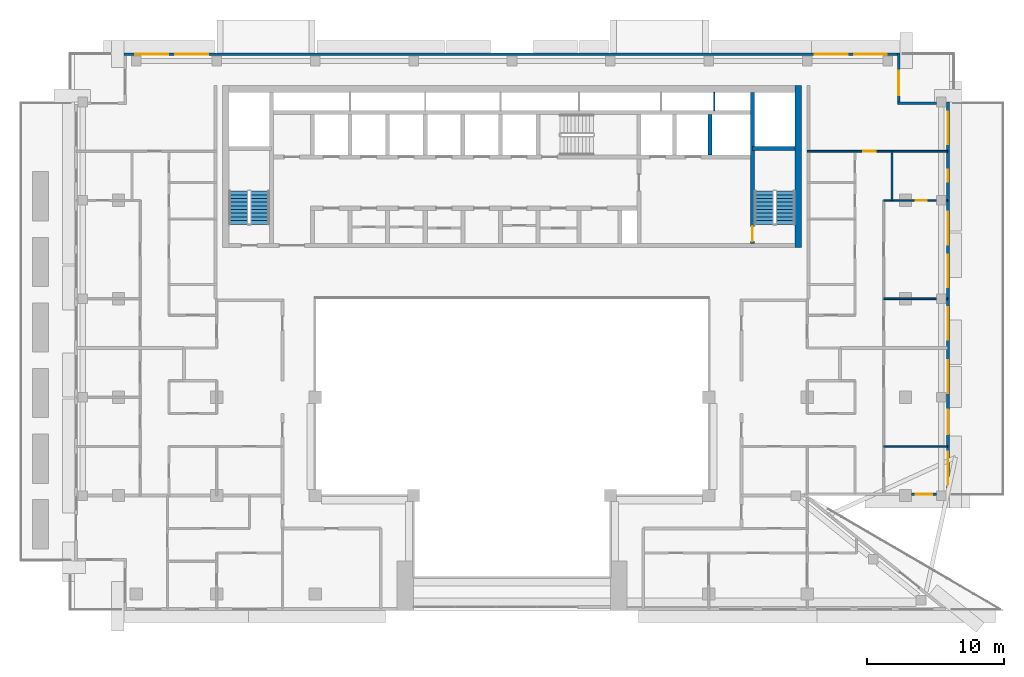
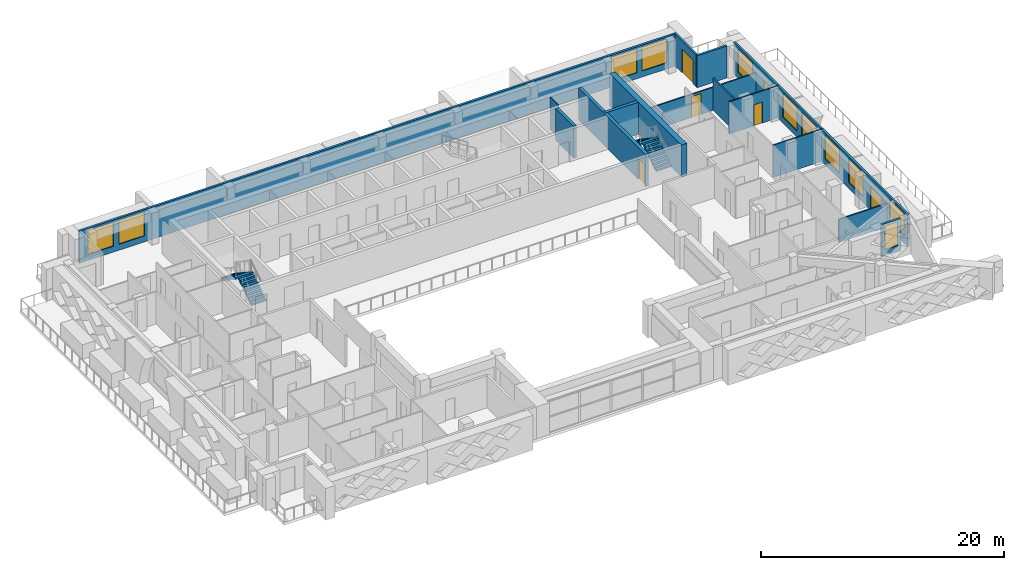
# One storey, part 11 of 19: 15 walls, 12 windows, 5 doors, 4 stair flights, 17 openings, 2 elements without a shape of their own.
"""IFC4 building model written with IfcOpenShell, lengths in metres."""

from ifc_helpers import new_model, si_unit, direction, frame, frame_2d, origin, place, context, subcontext, project, spatial, polyline, rectangle, outline, extrude, material, layer, layer_set, type_object, element, fill, aggregate, save


model = new_model("IFC4")

# Units and contexts
model_context = context("Model", 3, precision=1e-05, world=origin(), true_north=direction((0.0, 1.0)))
body_context = subcontext(model_context, "Body", "Model", "MODEL_VIEW")
ifc_project = project(units=[si_unit("LENGTHUNIT", "METRE"), si_unit("AREAUNIT", "SQUARE_METRE"), si_unit("VOLUMEUNIT", "CUBIC_METRE"), si_unit("PLANEANGLEUNIT", "RADIAN"), si_unit("MASSUNIT", "GRAM", prefix="KILO")], contexts=[model_context])

# Site, building, storey
site_placement = place(None, origin())
site = spatial("IfcSite", under=ifc_project, at=site_placement, CompositionType="ELEMENT")
building_placement = place(site_placement, origin())
building = spatial("IfcBuilding", under=site, at=building_placement, Name="Saffron Iwan Residences", CompositionType="ELEMENT")
storey_placement = place(building_placement, frame((0.0, 0.0, 211.5)))
storey = spatial("IfcBuildingStorey", under=building, at=storey_placement, Name="L56", CompositionType="ELEMENT", Elevation=211.5)

# Wall, opening, window
ifc_material_1 = material(Name="Concrete C40/50", Category="concrete")
ifc_layer_1 = layer(ifc_material_1, 0.199951171875)
ifc_layer_set_1 = layer_set([ifc_layer_1], Name="Concrete C40/50")
wall_type_1 = type_object("IfcWallType", Name="EXTERNAL WALL 200", PredefinedType="SOLIDWALL", material=ifc_layer_set_1)
wall_1_placement = place(storey_placement, frame((79.64990234375, 48.10009765625, 0.0), z_axis=(0.0, 0.0, 1.0), x_axis=(1.0, 0.0, 0.0)))
wall_1 = element("IfcWall", 1, at=wall_1_placement, inside=storey, type_object=wall_type_1, Name="External wall L56 F1.1", PredefinedType="SOLIDWALL", context=body_context, shape_type="SweptSolid", body=[
    extrude(rectangle(XDim=1.800048828125, YDim=0.199951171875, at=frame_2d((0.89990234375, 0.0))), origin(), (0.0, 0.0, 1.0), 3.219970703125),
])
opening_1_placement = place(wall_1_placement, frame((0.300048828125, 0.0, 0.60009765625)))
opening_1 = element("IfcOpeningElement", 2, at=opening_1_placement, cuts=wall_1, Name="Opening W3", PredefinedType="OPENING", context=body_context, shape_type="SweptSolid", body=[
    extrude(rectangle(XDim=1.199951171875, YDim=2.39990234375, at=frame_2d((0.60009765625, 1.199951171875))), frame((0.0, 0.10986328125, 0.0), z_axis=(0.0, -1.0, 0.0), x_axis=(1.0, 0.0, 0.0)), (0.0, 0.0, 1.0), 0.219970703125),
])
ifc_material_2 = material(Name="Clear glass, laminated double glazed", Category="glass")
window_type_1 = type_object("IfcWindowType", Name="WINDOW 1200 x 2400", PartitioningType="SINGLE_PANEL", PredefinedType="WINDOW", material=ifc_material_2)
window_1_placement = place(opening_1_placement, origin())
window_1 = element("IfcWindow", 3, at=window_1_placement, inside=storey, type_object=window_type_1, Name="Window L56 F1.0", OverallHeight=2.39990234375, OverallWidth=1.199951171875, PartitioningType="SINGLE_PANEL", PredefinedType="WINDOW", context=body_context, shape_type="SweptSolid", body=[
    extrude(rectangle(XDim=1.199951171875, YDim=2.39990234375, at=frame_2d((0.60009765625, 1.199951171875))), frame((0.0, 0.030029296875, 0.0), z_axis=(0.0, -1.0, 0.0), x_axis=(1.0, 0.0, 0.0)), (0.0, 0.0, 1.0), 0.06005859375),
])
fill(opening_1, window_1)

# Wall, openings, door, windows
wall_2_placement = place(storey_placement, frame((82.300048828125, 48.199951171875, 0.0), z_axis=(0.0, 0.0, 1.0), x_axis=(0.0, 1.0, 0.0)))
wall_2 = element("IfcWall", 4, at=wall_2_placement, inside=storey, type_object=wall_type_1, Name="External wall L56 F2.0", PredefinedType="SOLIDWALL", context=body_context, shape_type="SweptSolid", body=[
    extrude(rectangle(XDim=28.60009765625, YDim=0.199951171875, at=frame_2d((14.300048828125, 0.0))), origin(), (0.0, 0.0, 1.0), 3.219970703125),
])
opening_2_placement = place(wall_2_placement, frame((4.300048828125, 0.0, 0.0)))
opening_2 = element("IfcOpeningElement", 5, at=opening_2_placement, cuts=wall_2, Name="Opening BD1", PredefinedType="OPENING", context=body_context, shape_type="SweptSolid", body=[
    extrude(rectangle(XDim=1.800048828125, YDim=2.39990234375, at=frame_2d((0.89990234375, 1.199951171875))), frame((0.0, 0.10986328125, 0.0), z_axis=(0.0, -1.0, 0.0), x_axis=(1.0, 0.0, 0.0)), (0.0, 0.0, 1.0), 0.219970703125),
])
opening_3_placement = place(wall_2_placement, frame((0.60009765625, 0.0, 0.60009765625)))
opening_3 = element("IfcOpeningElement", 6, at=opening_3_placement, cuts=wall_2, Name="Opening W1", PredefinedType="OPENING", context=body_context, shape_type="SweptSolid", body=[
    extrude(rectangle(XDim=2.39990234375, YDim=2.39990234375, at=frame_2d((1.199951171875, 1.199951171875))), frame((0.0, 0.10986328125, 0.0), z_axis=(0.0, -1.0, 0.0), x_axis=(1.0, 0.0, 0.0)), (0.0, 0.0, 1.0), 0.219970703125),
])
opening_4_placement = place(wall_2_placement, frame((7.300048828125, 0.0, 0.60009765625)))
opening_4 = element("IfcOpeningElement", 7, at=opening_4_placement, cuts=wall_2, Name="Opening W1", PredefinedType="OPENING", context=body_context, shape_type="SweptSolid", body=[
    extrude(rectangle(XDim=2.39990234375, YDim=2.39990234375, at=frame_2d((1.199951171875, 1.199951171875))), frame((0.0, 0.10986328125, 0.0), z_axis=(0.0, -1.0, 0.0), x_axis=(1.0, 0.0, 0.0)), (0.0, 0.0, 1.0), 0.219970703125),
])
opening_5_placement = place(wall_2_placement, frame((11.199951171875, 0.0, 0.60009765625)))
opening_5 = element("IfcOpeningElement", 8, at=opening_5_placement, cuts=wall_2, Name="Opening W1", PredefinedType="OPENING", context=body_context, shape_type="SweptSolid", body=[
    extrude(rectangle(XDim=2.39990234375, YDim=2.39990234375, at=frame_2d((1.199951171875, 1.199951171875))), frame((0.0, 0.10986328125, 0.0), z_axis=(0.0, -1.0, 0.0), x_axis=(1.0, 0.0, 0.0)), (0.0, 0.0, 1.0), 0.219970703125),
])
opening_6_placement = place(wall_2_placement, frame((15.033203125, 0.0, 0.60009765625)))
opening_6 = element("IfcOpeningElement", 9, at=opening_6_placement, cuts=wall_2, Name="Opening W1", PredefinedType="OPENING", context=body_context, shape_type="SweptSolid", body=[
    extrude(rectangle(XDim=2.39990234375, YDim=2.39990234375, at=frame_2d((1.199951171875, 1.199951171875))), frame((0.0, 0.10986328125, 0.0), z_axis=(0.0, -1.0, 0.0), x_axis=(1.0, 0.0, 0.0)), (0.0, 0.0, 1.0), 0.219970703125),
])
opening_7_placement = place(wall_2_placement, frame((18.166748046875, 0.0, 0.60009765625)))
opening_7 = element("IfcOpeningElement", 10, at=opening_7_placement, cuts=wall_2, Name="Opening W1", PredefinedType="OPENING", context=body_context, shape_type="SweptSolid", body=[
    extrude(rectangle(XDim=2.39990234375, YDim=2.39990234375, at=frame_2d((1.199951171875, 1.199951171875))), frame((0.0, 0.10986328125, 0.0), z_axis=(0.0, -1.0, 0.0), x_axis=(1.0, 0.0, 0.0)), (0.0, 0.0, 1.0), 0.219970703125),
])
opening_8_placement = place(wall_2_placement, frame((22.75, 0.0, 1.5)))
opening_8 = element("IfcOpeningElement", 11, at=opening_8_placement, cuts=wall_2, Name="Opening W6", PredefinedType="OPENING", context=body_context, shape_type="SweptSolid", body=[
    extrude(rectangle(XDim=0.89990234375, YDim=0.89990234375, at=frame_2d((0.449951171875, 0.449951171875))), frame((0.0, 0.10986328125, 0.0), z_axis=(0.0, -1.0, 0.0), x_axis=(1.0, 0.0, 0.0)), (0.0, 0.0, 1.0), 0.219970703125),
])
opening_9_placement = place(wall_2_placement, frame((25.5, 0.0, 0.60009765625)))
opening_9 = element("IfcOpeningElement", 12, at=opening_9_placement, cuts=wall_2, Name="Opening W1", PredefinedType="OPENING", context=body_context, shape_type="SweptSolid", body=[
    extrude(rectangle(XDim=2.39990234375, YDim=2.39990234375, at=frame_2d((1.199951171875, 1.199951171875))), frame((0.0, 0.10986328125, 0.0), z_axis=(0.0, -1.0, 0.0), x_axis=(1.0, 0.0, 0.0)), (0.0, 0.0, 1.0), 0.219970703125),
])
door_type_1 = type_object("IfcDoorType", Name="BALCONY DOOR 1800 x 2400", OperationType="DOUBLE_DOOR_SLIDING", PredefinedType="DOOR", material=ifc_material_2)
door_1_placement = place(opening_2_placement, origin())
door_1 = element("IfcDoor", 13, at=door_1_placement, inside=storey, type_object=door_type_1, Name="Balcony door L56 F2.0", OperationType="DOUBLE_DOOR_SLIDING", OverallHeight=2.39990234375, OverallWidth=1.800048828125, PredefinedType="DOOR", context=body_context, shape_type="SweptSolid", body=[
    extrude(rectangle(XDim=1.800048828125, YDim=2.39990234375, at=frame_2d((0.89990234375, 1.199951171875))), frame((0.0, 0.02490234375, 0.0), z_axis=(0.0, -1.0, 0.0), x_axis=(1.0, 0.0, 0.0)), (0.0, 0.0, 1.0), 0.050048828125),
])
fill(opening_2, door_1)
window_type_2 = type_object("IfcWindowType", Name="WINDOW 2400 x 2400", PartitioningType="DOUBLE_PANEL_VERTICAL", PredefinedType="WINDOW", material=ifc_material_2)
window_2_placement = place(opening_3_placement, origin())
window_2 = element("IfcWindow", 14, at=window_2_placement, inside=storey, type_object=window_type_2, Name="Window L56 F2.1", OverallHeight=2.39990234375, OverallWidth=2.39990234375, PartitioningType="DOUBLE_PANEL_VERTICAL", PredefinedType="WINDOW", context=body_context, shape_type="SweptSolid", body=[
    extrude(rectangle(XDim=2.39990234375, YDim=2.39990234375, at=frame_2d((1.199951171875, 1.199951171875))), frame((0.0, 0.030029296875, 0.0), z_axis=(0.0, -1.0, 0.0), x_axis=(1.0, 0.0, 0.0)), (0.0, 0.0, 1.0), 0.06005859375),
])
fill(opening_3, window_2)
window_3_placement = place(opening_4_placement, origin())
window_3 = element("IfcWindow", 15, at=window_3_placement, inside=storey, type_object=window_type_2, Name="Window L56 F2.2", OverallHeight=2.39990234375, OverallWidth=2.39990234375, PartitioningType="DOUBLE_PANEL_VERTICAL", PredefinedType="WINDOW", context=body_context, shape_type="SweptSolid", body=[
    extrude(rectangle(XDim=2.39990234375, YDim=2.39990234375, at=frame_2d((1.199951171875, 1.199951171875))), frame((0.0, 0.030029296875, 0.0), z_axis=(0.0, -1.0, 0.0), x_axis=(1.0, 0.0, 0.0)), (0.0, 0.0, 1.0), 0.06005859375),
])
fill(opening_4, window_3)
window_4_placement = place(opening_5_placement, origin())
window_4 = element("IfcWindow", 16, at=window_4_placement, inside=storey, type_object=window_type_2, Name="Window L56 F2.3", OverallHeight=2.39990234375, OverallWidth=2.39990234375, PartitioningType="DOUBLE_PANEL_VERTICAL", PredefinedType="WINDOW", context=body_context, shape_type="SweptSolid", body=[
    extrude(rectangle(XDim=2.39990234375, YDim=2.39990234375, at=frame_2d((1.199951171875, 1.199951171875))), frame((0.0, 0.030029296875, 0.0), z_axis=(0.0, -1.0, 0.0), x_axis=(1.0, 0.0, 0.0)), (0.0, 0.0, 1.0), 0.06005859375),
])
fill(opening_5, window_4)
window_5_placement = place(opening_6_placement, origin())
window_5 = element("IfcWindow", 17, at=window_5_placement, inside=storey, type_object=window_type_2, Name="Window L56 F2.4", OverallHeight=2.39990234375, OverallWidth=2.39990234375, PartitioningType="DOUBLE_PANEL_VERTICAL", PredefinedType="WINDOW", context=body_context, shape_type="SweptSolid", body=[
    extrude(rectangle(XDim=2.39990234375, YDim=2.39990234375, at=frame_2d((1.199951171875, 1.199951171875))), frame((0.0, 0.030029296875, 0.0), z_axis=(0.0, -1.0, 0.0), x_axis=(1.0, 0.0, 0.0)), (0.0, 0.0, 1.0), 0.06005859375),
])
fill(opening_6, window_5)
window_6_placement = place(opening_7_placement, origin())
window_6 = element("IfcWindow", 18, at=window_6_placement, inside=storey, type_object=window_type_2, Name="Window L56 F2.5", OverallHeight=2.39990234375, OverallWidth=2.39990234375, PartitioningType="DOUBLE_PANEL_VERTICAL", PredefinedType="WINDOW", context=body_context, shape_type="SweptSolid", body=[
    extrude(rectangle(XDim=2.39990234375, YDim=2.39990234375, at=frame_2d((1.199951171875, 1.199951171875))), frame((0.0, 0.030029296875, 0.0), z_axis=(0.0, -1.0, 0.0), x_axis=(1.0, 0.0, 0.0)), (0.0, 0.0, 1.0), 0.06005859375),
])
fill(opening_7, window_6)
window_7_placement = place(opening_9_placement, origin())
window_7 = element("IfcWindow", 19, at=window_7_placement, inside=storey, type_object=window_type_2, Name="Window L56 F2.7", OverallHeight=2.39990234375, OverallWidth=2.39990234375, PartitioningType="DOUBLE_PANEL_VERTICAL", PredefinedType="WINDOW", context=body_context, shape_type="SweptSolid", body=[
    extrude(rectangle(XDim=2.39990234375, YDim=2.39990234375, at=frame_2d((1.199951171875, 1.199951171875))), frame((0.0, 0.030029296875, 0.0), z_axis=(0.0, -1.0, 0.0), x_axis=(1.0, 0.0, 0.0)), (0.0, 0.0, 1.0), 0.06005859375),
])
fill(opening_9, window_7)
window_type_3 = type_object("IfcWindowType", Name="WINDOW 900 x 900 BATH", PartitioningType="SINGLE_PANEL", PredefinedType="WINDOW", material=ifc_material_2)
window_8_placement = place(opening_8_placement, origin())
window_8 = element("IfcWindow", 20, at=window_8_placement, inside=storey, type_object=window_type_3, Name="Window L56 F2.6", OverallHeight=0.89990234375, OverallWidth=0.89990234375, PartitioningType="SINGLE_PANEL", PredefinedType="WINDOW", context=body_context, shape_type="SweptSolid", body=[
    extrude(rectangle(XDim=0.89990234375, YDim=0.89990234375, at=frame_2d((0.449951171875, 0.449951171875))), frame((0.0, 0.030029296875, 0.0), z_axis=(0.0, -1.0, 0.0), x_axis=(1.0, 0.0, 0.0)), (0.0, 0.0, 1.0), 0.06005859375),
])
fill(opening_8, window_8)

# Wall
wall_3_placement = place(storey_placement, frame((81.449951171875, 76.699951171875, 0.0), z_axis=(0.0, 0.0, 1.0), x_axis=(-1.0, 0.0, 0.0)))
element("IfcWall", 21, at=wall_3_placement, inside=storey, type_object=wall_type_1, Name="External wall L56 F3.0", PredefinedType="SOLIDWALL", context=body_context, shape_type="SweptSolid", body=[
    extrude(rectangle(XDim=2.849853515625, YDim=0.199951171875, at=frame_2d((1.4248046875, 0.0))), origin(), (0.0, 0.0, 1.0), 3.219970703125),
])

# Wall, opening, door
wall_4_placement = place(storey_placement, frame((78.699951171875, 76.800048828125, 0.0), z_axis=(0.0, 0.0, 1.0), x_axis=(0.0, 1.0, 0.0)))
wall_4 = element("IfcWall", 22, at=wall_4_placement, inside=storey, type_object=wall_type_1, Name="External wall L56 F4.0", PredefinedType="SOLIDWALL", context=body_context, shape_type="SweptSolid", body=[
    extrude(rectangle(XDim=3.599853515625, YDim=0.199951171875, at=frame_2d((1.7998046875, 0.0))), origin(), (0.0, 0.0, 1.0), 3.219970703125),
])
opening_10_placement = place(wall_4_placement, frame((0.5, 0.0, 0.0)))
opening_10 = element("IfcOpeningElement", 23, at=opening_10_placement, cuts=wall_4, Name="Opening BD1", PredefinedType="OPENING", context=body_context, shape_type="SweptSolid", body=[
    extrude(rectangle(XDim=1.800048828125, YDim=2.39990234375, at=frame_2d((0.89990234375, 1.199951171875))), frame((0.0, 0.10986328125, 0.0), z_axis=(0.0, -1.0, 0.0), x_axis=(1.0, 0.0, 0.0)), (0.0, 0.0, 1.0), 0.219970703125),
])
door_2_placement = place(opening_10_placement, origin())
door_2 = element("IfcDoor", 24, at=door_2_placement, inside=storey, type_object=door_type_1, Name="Balcony door L56 F4.0", OperationType="DOUBLE_DOOR_SLIDING", OverallHeight=2.39990234375, OverallWidth=1.800048828125, PredefinedType="DOOR", context=body_context, shape_type="SweptSolid", body=[
    extrude(rectangle(XDim=1.800048828125, YDim=2.39990234375, at=frame_2d((0.89990234375, 1.199951171875))), frame((0.0, 0.02490234375, 0.0), z_axis=(0.0, -1.0, 0.0), x_axis=(1.0, 0.0, 0.0)), (0.0, 0.0, 1.0), 0.050048828125),
])
fill(opening_10, door_2)

# Wall, openings, windows
wall_5_placement = place(storey_placement, frame((78.60009765625, 80.300048828125, 0.0), z_axis=(0.0, 0.0, 1.0), x_axis=(-1.0, 0.0, 0.0)))
wall_5 = element("IfcWall", 25, at=wall_5_placement, inside=storey, type_object=wall_type_1, Name="External wall L56 F5.0", PredefinedType="SOLIDWALL", context=body_context, shape_type="SweptSolid", body=[
    extrude(rectangle(XDim=56.60009765625, YDim=0.199951171875, at=frame_2d((28.300048828125, 0.0))), origin(), (0.0, 0.0, 1.0), 3.219970703125),
])
opening_11_placement = place(wall_5_placement, frame((50.433349609375, 0.0, 0.60009765625)))
opening_11 = element("IfcOpeningElement", 26, at=opening_11_placement, cuts=wall_5, Name="Opening W1", PredefinedType="OPENING", context=body_context, shape_type="SweptSolid", body=[
    extrude(rectangle(XDim=2.39990234375, YDim=2.39990234375, at=frame_2d((1.199951171875, 1.199951171875))), frame((0.0, 0.10986328125, 0.0), z_axis=(0.0, -1.0, 0.0), x_axis=(1.0, 0.0, 0.0)), (0.0, 0.0, 1.0), 0.219970703125),
])
opening_12_placement = place(wall_5_placement, frame((53.36669921875, 0.0, 0.60009765625)))
opening_12 = element("IfcOpeningElement", 27, at=opening_12_placement, cuts=wall_5, Name="Opening W1", PredefinedType="OPENING", context=body_context, shape_type="SweptSolid", body=[
    extrude(rectangle(XDim=2.39990234375, YDim=2.39990234375, at=frame_2d((1.199951171875, 1.199951171875))), frame((0.0, 0.10986328125, 0.0), z_axis=(0.0, -1.0, 0.0), x_axis=(1.0, 0.0, 0.0)), (0.0, 0.0, 1.0), 0.219970703125),
])
opening_13_placement = place(wall_5_placement, frame((0.7666015625, 0.0, 0.60009765625)))
opening_13 = element("IfcOpeningElement", 28, at=opening_13_placement, cuts=wall_5, Name="Opening W1", PredefinedType="OPENING", context=body_context, shape_type="SweptSolid", body=[
    extrude(rectangle(XDim=2.39990234375, YDim=2.39990234375, at=frame_2d((1.199951171875, 1.199951171875))), frame((0.0, 0.10986328125, 0.0), z_axis=(0.0, -1.0, 0.0), x_axis=(1.0, 0.0, 0.0)), (0.0, 0.0, 1.0), 0.219970703125),
])
opening_14_placement = place(wall_5_placement, frame((3.63330078125, 0.0, 0.60009765625)))
opening_14 = element("IfcOpeningElement", 29, at=opening_14_placement, cuts=wall_5, Name="Opening W1", PredefinedType="OPENING", context=body_context, shape_type="SweptSolid", body=[
    extrude(rectangle(XDim=2.39990234375, YDim=2.39990234375, at=frame_2d((1.199951171875, 1.199951171875))), frame((0.0, 0.10986328125, 0.0), z_axis=(0.0, -1.0, 0.0), x_axis=(1.0, 0.0, 0.0)), (0.0, 0.0, 1.0), 0.219970703125),
])
window_9_placement = place(opening_11_placement, origin())
window_9 = element("IfcWindow", 30, at=window_9_placement, inside=storey, type_object=window_type_2, Name="Window L56 F5.0", OverallHeight=2.39990234375, OverallWidth=2.39990234375, PartitioningType="DOUBLE_PANEL_VERTICAL", PredefinedType="WINDOW", context=body_context, shape_type="SweptSolid", body=[
    extrude(rectangle(XDim=2.39990234375, YDim=2.39990234375, at=frame_2d((1.199951171875, 1.199951171875))), frame((0.0, 0.030029296875, 0.0), z_axis=(0.0, -1.0, 0.0), x_axis=(1.0, 0.0, 0.0)), (0.0, 0.0, 1.0), 0.06005859375),
])
fill(opening_11, window_9)
window_10_placement = place(opening_12_placement, origin())
window_10 = element("IfcWindow", 31, at=window_10_placement, inside=storey, type_object=window_type_2, Name="Window L56 F5.1", OverallHeight=2.39990234375, OverallWidth=2.39990234375, PartitioningType="DOUBLE_PANEL_VERTICAL", PredefinedType="WINDOW", context=body_context, shape_type="SweptSolid", body=[
    extrude(rectangle(XDim=2.39990234375, YDim=2.39990234375, at=frame_2d((1.199951171875, 1.199951171875))), frame((0.0, 0.030029296875, 0.0), z_axis=(0.0, -1.0, 0.0), x_axis=(1.0, 0.0, 0.0)), (0.0, 0.0, 1.0), 0.06005859375),
])
fill(opening_12, window_10)
window_11_placement = place(opening_13_placement, origin())
window_11 = element("IfcWindow", 32, at=window_11_placement, inside=storey, type_object=window_type_2, Name="Window L56 F5.2", OverallHeight=2.39990234375, OverallWidth=2.39990234375, PartitioningType="DOUBLE_PANEL_VERTICAL", PredefinedType="WINDOW", context=body_context, shape_type="SweptSolid", body=[
    extrude(rectangle(XDim=2.39990234375, YDim=2.39990234375, at=frame_2d((1.199951171875, 1.199951171875))), frame((0.0, 0.030029296875, 0.0), z_axis=(0.0, -1.0, 0.0), x_axis=(1.0, 0.0, 0.0)), (0.0, 0.0, 1.0), 0.06005859375),
])
fill(opening_13, window_11)
window_12_placement = place(opening_14_placement, origin())
window_12 = element("IfcWindow", 33, at=window_12_placement, inside=storey, type_object=window_type_2, Name="Window L56 F5.3", OverallHeight=2.39990234375, OverallWidth=2.39990234375, PartitioningType="DOUBLE_PANEL_VERTICAL", PredefinedType="WINDOW", context=body_context, shape_type="SweptSolid", body=[
    extrude(rectangle(XDim=2.39990234375, YDim=2.39990234375, at=frame_2d((1.199951171875, 1.199951171875))), frame((0.0, 0.030029296875, 0.0), z_axis=(0.0, -1.0, 0.0), x_axis=(1.0, 0.0, 0.0)), (0.0, 0.0, 1.0), 0.06005859375),
])
fill(opening_14, window_12)

# Walls
ifc_material_3 = material(Name="Gypsum board partition")
ifc_layer_2 = layer(ifc_material_3, 0.1201171875)
ifc_layer_set_2 = layer_set([ifc_layer_2], Name="Gypsum board partition")
wall_type_2 = type_object("IfcWallType", Name="Flat partition 120", PredefinedType="PARTITIONING", material=ifc_layer_set_2)
wall_6_placement = place(storey_placement, frame((77.60009765625, 51.60009765625, 0.0), z_axis=(0.0, 0.0, 1.0), x_axis=(1.0, 0.0, 0.0)))
element("IfcWall", 34, at=wall_6_placement, inside=storey, type_object=wall_type_2, Name="W-L56-PART-h51.6-77.6", PredefinedType="PARTITIONING", context=body_context, shape_type="SweptSolid", body=[
    extrude(rectangle(XDim=4.6748046875, YDim=0.1201171875, at=frame_2d((2.33740234375, 0.0))), origin(), (0.0, 0.0, 1.0), 2.320068359375),
])
wall_7_placement = place(storey_placement, frame((77.60009765625, 62.39990234375, 0.0), z_axis=(0.0, 0.0, 1.0), x_axis=(1.0, 0.0, 0.0)))
element("IfcWall", 35, at=wall_7_placement, inside=storey, type_object=wall_type_2, Name="W-L56-PART-h62.4-77.6", PredefinedType="PARTITIONING", context=body_context, shape_type="SweptSolid", body=[
    extrude(rectangle(XDim=4.6748046875, YDim=0.1201171875, at=frame_2d((2.33740234375, 0.0))), origin(), (0.0, 0.0, 1.0), 3.219970703125),
])

# Wall, opening, door
wall_8_placement = place(storey_placement, frame((77.60009765625, 69.60009765625, 0.0), z_axis=(0.0, 0.0, 1.0), x_axis=(1.0, 0.0, 0.0)))
wall_8 = element("IfcWall", 36, at=wall_8_placement, inside=storey, type_object=wall_type_2, Name="W-L56-PART-h69.6-77.6", PredefinedType="PARTITIONING", context=body_context, shape_type="SweptSolid", body=[
    extrude(rectangle(XDim=4.6748046875, YDim=0.1201171875, at=frame_2d((2.33740234375, 0.0))), origin(), (0.0, 0.0, 1.0), 3.219970703125),
])
opening_15_placement = place(wall_8_placement, frame((2.33740234375, 0.0, 0.0)))
opening_15 = element("IfcOpeningElement", 37, at=opening_15_placement, cuts=wall_8, Name="Opening FD3", PredefinedType="OPENING", context=body_context, shape_type="SweptSolid", body=[
    extrude(rectangle(XDim=0.800048828125, YDim=2.10009765625, at=frame_2d((0.39990234375, 1.050048828125))), frame((0.0, 0.070068359375, 0.0), z_axis=(0.0, -1.0, 0.0), x_axis=(1.0, 0.0, 0.0)), (0.0, 0.0, 1.0), 0.14013671875),
])
ifc_material_4 = material(Name="Timber door", Category="wood")
door_type_2 = type_object("IfcDoorType", Name="Bathroom door 800", OperationType="NOTDEFINED", PredefinedType="DOOR", material=ifc_material_4)
door_3_placement = place(opening_15_placement, origin())
door_3 = element("IfcDoor", 38, at=door_3_placement, inside=storey, type_object=door_type_2, Name="Door L56-034", OperationType="SINGLE_SWING_RIGHT", OverallHeight=2.10009765625, OverallWidth=0.800048828125, PredefinedType="DOOR", context=body_context, shape_type="SweptSolid", body=[
    extrude(rectangle(XDim=0.800048828125, YDim=2.10009765625, at=frame_2d((0.39990234375, 1.050048828125))), frame((0.0, 0.02490234375, 0.0), z_axis=(0.0, -1.0, 0.0), x_axis=(1.0, 0.0, 0.0)), (0.0, 0.0, 1.0), 0.050048828125),
])
fill(opening_15, door_3)

wall_9_placement = place(storey_placement, frame((72.0, 73.199951171875, 0.0), z_axis=(0.0, 0.0, 1.0), x_axis=(1.0, 0.0, 0.0)))
wall_9 = element("IfcWall", 39, at=wall_9_placement, inside=storey, type_object=wall_type_2, Name="W-L56-PART-h73.2-72", PredefinedType="PARTITIONING", context=body_context, shape_type="SweptSolid", body=[
    extrude(rectangle(XDim=10.27490234375, YDim=0.1201171875, at=frame_2d((5.137451171875, 0.0))), origin(), (0.0, 0.0, 1.0), 2.320068359375),
])
opening_16_placement = place(wall_9_placement, frame((4.10009765625, 0.0, 0.0)))
opening_16 = element("IfcOpeningElement", 40, at=opening_16_placement, cuts=wall_9, Name="Opening FD2", PredefinedType="OPENING", context=body_context, shape_type="SweptSolid", body=[
    extrude(rectangle(XDim=0.89990234375, YDim=2.10009765625, at=frame_2d((0.449951171875, 1.050048828125))), frame((0.0, 0.070068359375, 0.0), z_axis=(0.0, -1.0, 0.0), x_axis=(1.0, 0.0, 0.0)), (0.0, 0.0, 1.0), 0.14013671875),
])
door_type_3 = type_object("IfcDoorType", Name="Flat door 900", OperationType="NOTDEFINED", PredefinedType="DOOR", material=ifc_material_4)
door_4_placement = place(opening_16_placement, origin())
door_4 = element("IfcDoor", 41, at=door_4_placement, inside=storey, type_object=door_type_3, Name="Door L56-035", OperationType="SINGLE_SWING_RIGHT", OverallHeight=2.10009765625, OverallWidth=0.89990234375, PredefinedType="DOOR", context=body_context, shape_type="SweptSolid", body=[
    extrude(rectangle(XDim=0.89990234375, YDim=2.10009765625, at=frame_2d((0.449951171875, 1.050048828125))), frame((0.0, 0.02490234375, 0.0), z_axis=(0.0, -1.0, 0.0), x_axis=(1.0, 0.0, 0.0)), (0.0, 0.0, 1.0), 0.050048828125),
])
fill(opening_16, door_4)

# Walls
wall_10_placement = place(storey_placement, frame((78.199951171875, 69.60009765625, 0.0), z_axis=(0.0, 0.0, 1.0), x_axis=(0.0, 1.0, 0.0)))
element("IfcWall", 42, at=wall_10_placement, inside=storey, type_object=wall_type_2, Name="W-L56-PART-v78.2-69.6", PredefinedType="PARTITIONING", context=body_context, shape_type="SweptSolid", body=[
    extrude(rectangle(XDim=3.599853515625, YDim=0.1201171875, at=frame_2d((1.7998046875, 0.0))), origin(), (0.0, 0.0, 1.0), 3.219970703125),
])
ifc_material_5 = material(Name="Fire-rated plasterboard partition")
ifc_layer_3 = layer(ifc_material_5, 0.10009765625)
ifc_layer_set_3 = layer_set([ifc_layer_3], Name="Fire-rated plasterboard partition")
wall_type_3 = type_object("IfcWallType", Name="Riser partition 100", PredefinedType="PARTITIONING", material=ifc_layer_set_3)
wall_11_placement = place(storey_placement, frame((65.199951171875, 76.175048828125, 0.0), z_axis=(0.0, 0.0, 1.0), x_axis=(0.0, 1.0, 0.0)))
element("IfcWall", 43, at=wall_11_placement, inside=storey, type_object=wall_type_3, Name="Core partition P11", PredefinedType="PARTITIONING", context=body_context, shape_type="SweptSolid", body=[
    extrude(rectangle(XDim=1.324951171875, YDim=0.10009765625, at=frame_2d((0.66259765625, 0.0))), origin(), (0.0, 0.0, 1.0), 3.219970703125),
])
ifc_layer_4 = layer(ifc_material_1, 0.300048828125)
ifc_layer_set_4 = layer_set([ifc_layer_4], Name="Concrete C40/50")
wall_type_4 = type_object("IfcWallType", Name="WALL CORE 300 C40/50 3220 HIGH", PredefinedType="SHEAR", material=ifc_layer_set_4)
wall_12_placement = place(storey_placement, frame((68.0, 73.39990234375, 0.0), z_axis=(0.0, 0.0, 1.0), x_axis=(1.0, 0.0, 0.0)))
element("IfcWall", 44, at=wall_12_placement, inside=storey, type_object=wall_type_4, Name="Core wall", PredefinedType="SHEAR", context=body_context, shape_type="SweptSolid", body=[
    extrude(rectangle(XDim=3.10009765625, YDim=0.300048828125, at=frame_2d((1.550048828125, 0.0))), origin(), (0.0, 0.0, 1.0), 3.219970703125),
])

# Wall, opening, door
wall_13_placement = place(storey_placement, frame((68.0, 66.449951171875, 0.0), z_axis=(0.0, 0.0, 1.0), x_axis=(0.0, 1.0, 0.0)))
wall_13 = element("IfcWall", 45, at=wall_13_placement, inside=storey, type_object=wall_type_4, Name="Core wall", PredefinedType="SHEAR", context=body_context, shape_type="SweptSolid", body=[
    extrude(rectangle(XDim=11.050048828125, YDim=0.300048828125, at=frame_2d((5.52490234375, 0.0))), origin(), (0.0, 0.0, 1.0), 3.219970703125),
])
opening_17_placement = place(wall_13_placement, frame((0.14990234375, 0.0, 0.0)))
opening_17 = element("IfcOpeningElement", 46, at=opening_17_placement, cuts=wall_13, Name="Opening SD", PredefinedType="OPENING", context=body_context, shape_type="SweptSolid", body=[
    extrude(rectangle(XDim=1.10009765625, YDim=2.10009765625, at=frame_2d((0.550048828125, 1.050048828125))), frame((0.0, 0.16015625, 0.0), z_axis=(0.0, -1.0, 0.0), x_axis=(1.0, 0.0, 0.0)), (0.0, 0.0, 1.0), 0.320068359375),
])
ifc_material_6 = material(Name="Steel fire door", Category="steel")
door_type_4 = type_object("IfcDoorType", Name="Stair door 1100", OperationType="NOTDEFINED", PredefinedType="DOOR", material=ifc_material_6)
door_5_placement = place(opening_17_placement, origin())
door_5 = element("IfcDoor", 47, at=door_5_placement, inside=storey, type_object=door_type_4, Name="Stair door ST-E", OperationType="SINGLE_SWING_RIGHT", OverallHeight=2.10009765625, OverallWidth=1.10009765625, PredefinedType="DOOR", context=body_context, shape_type="SweptSolid", body=[
    extrude(rectangle(XDim=1.10009765625, YDim=2.10009765625, at=frame_2d((0.550048828125, 1.050048828125))), frame((0.0, 0.02490234375, 0.0), z_axis=(0.0, -1.0, 0.0), x_axis=(1.0, 0.0, 0.0)), (0.0, 0.0, 1.0), 0.050048828125),
])
fill(opening_17, door_5)

# Walls
wall_14_placement = place(storey_placement, frame((64.89990234375, 72.925048828125, 0.0), z_axis=(0.0, 0.0, 1.0), x_axis=(0.0, 1.0, 0.0)))
element("IfcWall", 48, at=wall_14_placement, inside=storey, type_object=wall_type_4, Name="Core wall", PredefinedType="SHEAR", context=body_context, shape_type="SweptSolid", body=[
    extrude(rectangle(XDim=2.949951171875, YDim=0.300048828125, at=frame_2d((1.47509765625, 0.0))), origin(), (0.0, 0.0, 1.0), 3.219970703125),
])
ifc_layer_5 = layer(ifc_material_1, 0.5)
ifc_layer_set_5 = layer_set([ifc_layer_5], Name="Concrete C40/50")
wall_type_5 = type_object("IfcWallType", Name="WALL CORE 500 C40/50 3220 HIGH", PredefinedType="SHEAR", material=ifc_layer_set_5)
wall_15_placement = place(storey_placement, frame((71.35009765625, 66.14990234375, 0.0), z_axis=(0.0, 0.0, 1.0), x_axis=(0.0, 1.0, 0.0)))
element("IfcWall", 49, at=wall_15_placement, inside=storey, type_object=wall_type_5, Name="Core wall", PredefinedType="SHEAR", context=body_context, shape_type="SweptSolid", body=[
    extrude(rectangle(XDim=11.85009765625, YDim=0.5, at=frame_2d((5.925048828125, 0.0))), origin(), (0.0, 0.0, 1.0), 3.219970703125),
])

# Stair, stair flights
ifc_material_7 = material(Name="Concrete C50/60", Category="concrete")
stair_type = type_object("IfcStairType", Name="Stair ST-CORE", PredefinedType="HALF_TURN_STAIR", material=ifc_material_7)
stair_1_placement = place(storey_placement, origin())
stair_1 = element("IfcStair", 50, at=stair_1_placement, inside=storey, type_object=stair_type, Name="L56 Exit Stair ST-W", PredefinedType="HALF_TURN_STAIR")
ifc_layer_6 = layer(ifc_material_7, 0.14990234375)
ifc_layer_set_6 = layer_set([ifc_layer_6], Name="Concrete C50/60")
stair_flight_type = type_object("IfcStairFlightType", Name="Stair flight SFL-RC", PredefinedType="STRAIGHT", material=ifc_layer_set_6)
stair_flight_1_placement = place(storey_placement, frame((31.949951171875, 67.85009765625, 0.0), z_axis=(0.0, 0.0, 1.0), x_axis=(0.0, 1.0, 0.0)))
stair_flight_1 = element("IfcStairFlight", 51, at=stair_flight_1_placement, type_object=stair_flight_type, Name="ST-W flight 1", NumberOfRisers=10, NumberOfTreads=9, PredefinedType="STRAIGHT", RiserHeight=0.175, TreadLength=0.27, context=body_context, shape_type="SweptSolid", body=[
    extrude(outline(polyline([(0.0, 0.0), (0.0, 0.175048828125), (0.27001953125, 0.175048828125), (0.27001953125, 0.35009765625), (0.5400390625, 0.35009765625), (0.5400390625, 0.52490234375), (0.81005859375, 0.52490234375), (0.81005859375, 0.699951171875), (1.080078125, 0.699951171875), (1.080078125, 0.875), (1.35009765625, 0.875), (1.35009765625, 1.050048828125), (1.6201171875, 1.050048828125), (1.6201171875, 1.22509765625), (1.889892578125, 1.22509765625), (1.889892578125, 1.39990234375), (2.159912109375, 1.39990234375), (2.159912109375, 1.574951171875), (2.429931640625, 1.574951171875), (2.429931640625, 1.75), (2.429931640625, 1.396484375), (0.275634765625, 0.0), (0.0, 0.0)])), frame((0.0, 0.699951171875, 0.0), z_axis=(0.0, -1.0, 0.0), x_axis=(1.0, 0.0, 0.0)), (0.0, 0.0, 1.0), 1.39990234375),
])
stair_flight_2_placement = place(storey_placement, frame((30.39990234375, 70.280029296875, 1.75), z_axis=(0.0, 0.0, 1.0), x_axis=(0.0, -1.0, 0.0)))
stair_flight_2 = element("IfcStairFlight", 52, at=stair_flight_2_placement, type_object=stair_flight_type, Name="ST-W flight 2", NumberOfRisers=10, NumberOfTreads=9, PredefinedType="STRAIGHT", RiserHeight=0.175, TreadLength=0.27, context=body_context, shape_type="SweptSolid", body=[
    extrude(outline(polyline([(0.0, 0.0), (0.0, 0.175048828125), (0.27001953125, 0.175048828125), (0.27001953125, 0.35009765625), (0.5400390625, 0.35009765625), (0.5400390625, 0.52490234375), (0.81005859375, 0.52490234375), (0.81005859375, 0.699951171875), (1.080078125, 0.699951171875), (1.080078125, 0.875), (1.35009765625, 0.875), (1.35009765625, 1.050048828125), (1.6201171875, 1.050048828125), (1.6201171875, 1.22509765625), (1.889892578125, 1.22509765625), (1.889892578125, 1.39990234375), (2.159912109375, 1.39990234375), (2.159912109375, 1.574951171875), (2.429931640625, 1.574951171875), (2.429931640625, 1.75), (2.429931640625, 1.396484375), (0.275634765625, 0.0), (0.0, 0.0)])), frame((0.0, 0.699951171875, 0.0), z_axis=(0.0, -1.0, 0.0), x_axis=(1.0, 0.0, 0.0)), (0.0, 0.0, 1.0), 1.39990234375),
])
aggregate(stair_1, [stair_flight_1, stair_flight_2])

stair_2_placement = place(storey_placement, origin())
stair_2 = element("IfcStair", 53, at=stair_2_placement, inside=storey, type_object=stair_type, Name="L56 Exit Stair ST-E", PredefinedType="HALF_TURN_STAIR")
stair_flight_3_placement = place(storey_placement, frame((70.39990234375, 67.85009765625, 0.0), z_axis=(0.0, 0.0, 1.0), x_axis=(0.0, 1.0, 0.0)))
stair_flight_3 = element("IfcStairFlight", 54, at=stair_flight_3_placement, type_object=stair_flight_type, Name="ST-E flight 1", NumberOfRisers=10, NumberOfTreads=9, PredefinedType="STRAIGHT", RiserHeight=0.175, TreadLength=0.27, context=body_context, shape_type="SweptSolid", body=[
    extrude(outline(polyline([(0.0, 0.0), (0.0, 0.175048828125), (0.27001953125, 0.175048828125), (0.27001953125, 0.35009765625), (0.5400390625, 0.35009765625), (0.5400390625, 0.52490234375), (0.81005859375, 0.52490234375), (0.81005859375, 0.699951171875), (1.080078125, 0.699951171875), (1.080078125, 0.875), (1.35009765625, 0.875), (1.35009765625, 1.050048828125), (1.6201171875, 1.050048828125), (1.6201171875, 1.22509765625), (1.889892578125, 1.22509765625), (1.889892578125, 1.39990234375), (2.159912109375, 1.39990234375), (2.159912109375, 1.574951171875), (2.429931640625, 1.574951171875), (2.429931640625, 1.75), (2.429931640625, 1.396484375), (0.275634765625, 0.0), (0.0, 0.0)])), frame((0.0, 0.699951171875, 0.0), z_axis=(0.0, -1.0, 0.0), x_axis=(1.0, 0.0, 0.0)), (0.0, 0.0, 1.0), 1.39990234375),
])
stair_flight_4_placement = place(storey_placement, frame((68.85009765625, 70.280029296875, 1.75), z_axis=(0.0, 0.0, 1.0), x_axis=(0.0, -1.0, 0.0)))
stair_flight_4 = element("IfcStairFlight", 55, at=stair_flight_4_placement, type_object=stair_flight_type, Name="ST-E flight 2", NumberOfRisers=10, NumberOfTreads=9, PredefinedType="STRAIGHT", RiserHeight=0.175, TreadLength=0.27, context=body_context, shape_type="SweptSolid", body=[
    extrude(outline(polyline([(0.0, 0.0), (0.0, 0.175048828125), (0.27001953125, 0.175048828125), (0.27001953125, 0.35009765625), (0.5400390625, 0.35009765625), (0.5400390625, 0.52490234375), (0.81005859375, 0.52490234375), (0.81005859375, 0.699951171875), (1.080078125, 0.699951171875), (1.080078125, 0.875), (1.35009765625, 0.875), (1.35009765625, 1.050048828125), (1.6201171875, 1.050048828125), (1.6201171875, 1.22509765625), (1.889892578125, 1.22509765625), (1.889892578125, 1.39990234375), (2.159912109375, 1.39990234375), (2.159912109375, 1.574951171875), (2.429931640625, 1.574951171875), (2.429931640625, 1.75), (2.429931640625, 1.396484375), (0.275634765625, 0.0), (0.0, 0.0)])), frame((0.0, 0.699951171875, 0.0), z_axis=(0.0, -1.0, 0.0), x_axis=(1.0, 0.0, 0.0)), (0.0, 0.0, 1.0), 1.39990234375),
])
aggregate(stair_2, [stair_flight_3, stair_flight_4])

save(model, "model.ifc")
